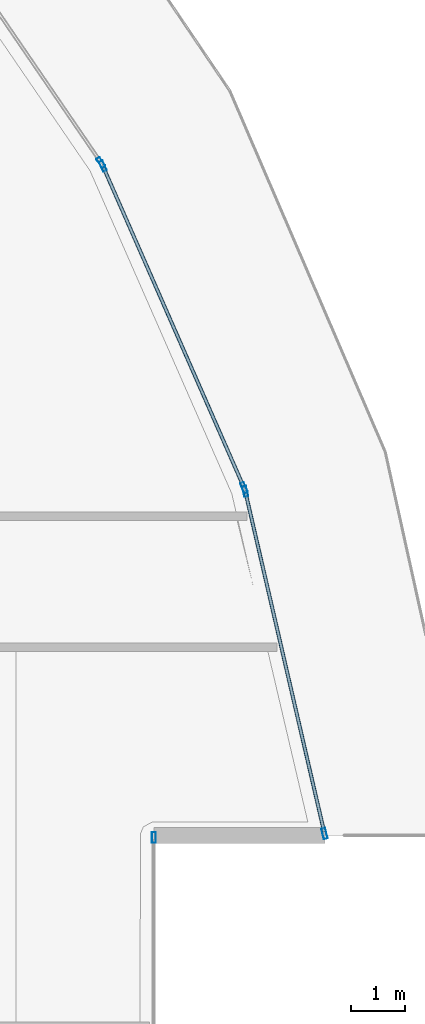
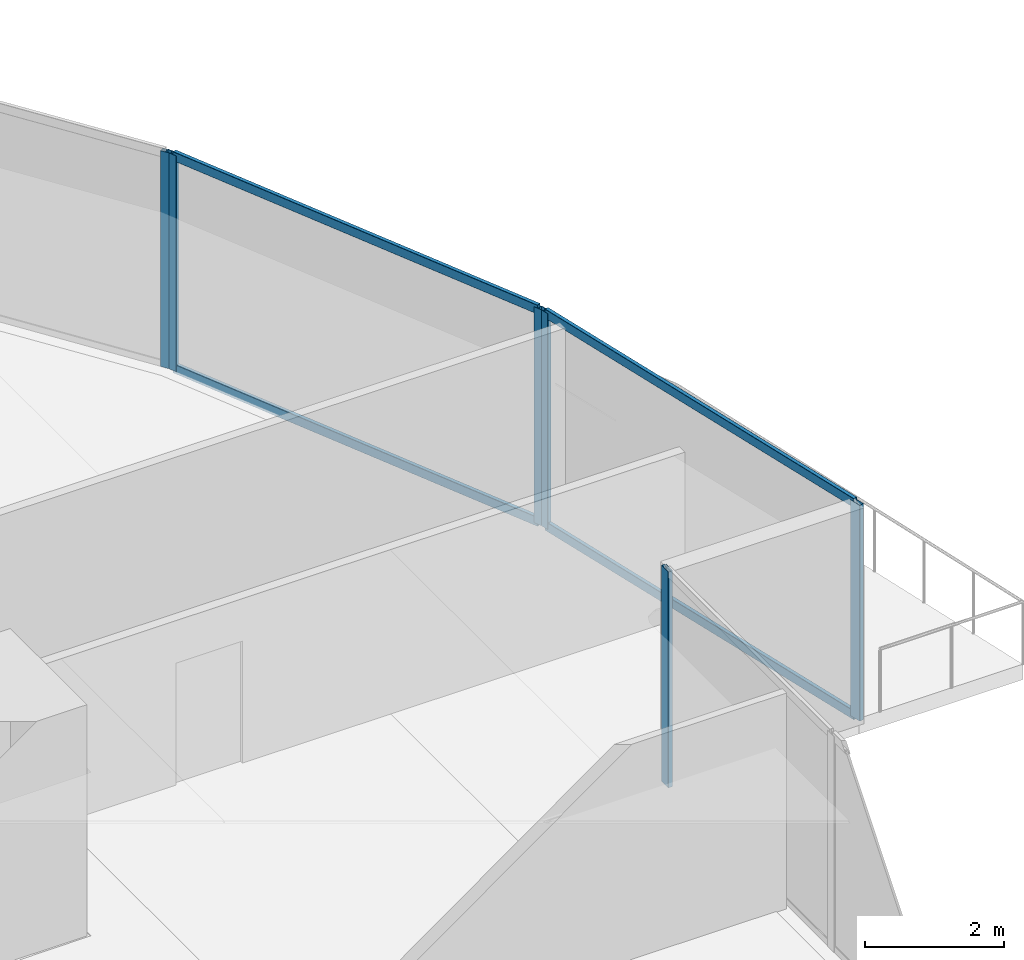
# One storey, part 24 of 43: 10 members, 4 elements without a shape of their own.
"""IFC4 building model written with IfcOpenShell, lengths in metres."""

from ifc_helpers import new_model, si_unit, direction, frame, origin, origin_2d, place, context, subcontext, project, spatial, hollow_rectangle, extrude, material, layer, layer_set, material_profile, profile_set, type_object, element, aggregate, save


model = new_model("IFC4")

# Units and contexts
model_context = context("Model", 3, precision=1e-05, world=origin(), true_north=direction((0.0, 1.0)))
body_context = subcontext(model_context, "Body", "Model", "MODEL_VIEW")
ifc_project = project(units=[si_unit("LENGTHUNIT", "METRE"), si_unit("AREAUNIT", "SQUARE_METRE"), si_unit("VOLUMEUNIT", "CUBIC_METRE"), si_unit("PLANEANGLEUNIT", "RADIAN"), si_unit("MASSUNIT", "GRAM", prefix="KILO")], contexts=[model_context])

# Site, building, storey
site_placement = place(None, origin())
site = spatial("IfcSite", under=ifc_project, at=site_placement, CompositionType="ELEMENT")
building_placement = place(site_placement, origin())
building = spatial("IfcBuilding", under=site, at=building_placement, Name="Qorvath Tower", CompositionType="ELEMENT")
storey_placement = place(building_placement, frame((0.0, 0.0, 150.300048828125)))
storey = spatial("IfcBuildingStorey", under=building, at=storey_placement, Name="L34", CompositionType="ELEMENT", Elevation=150.300048828125)

# Curtain wall, member
ifc_material_1 = material(Name="Anodised aluminium and triple low-E glass", Category="aluminium")
ifc_layer = layer(ifc_material_1, 0.179931640625)
ifc_layer_set = layer_set([ifc_layer], Name="CW-SYS-5")
curtain_wall_type = type_object("IfcCurtainWallType", Name="CW-SYS-5", PredefinedType="NOTDEFINED", material=ifc_layer_set)
curtain_wall_1_placement = place(storey_placement, origin())
curtain_wall_1 = element("IfcCurtainWall", 1, at=curtain_wall_1_placement, inside=storey, type_object=curtain_wall_type, Name="Curtain Wall CW-5 CW-T-L34-9.1", PredefinedType="NOTDEFINED")
ifc_material_2 = material(Name="Anodised aluminium 6063-T6", Category="aluminium")
ifc_material_profile_1 = material_profile(ifc_material_2, hollow_rectangle(XDim=0.074951171875, YDim=0.199951171875, WallThickness=0.00390625, InnerFilletRadius=0.00390625, OuterFilletRadius=0.008056640625, at=origin_2d()), Name="CWM 200x75")
ifc_profile_set_1 = profile_set([ifc_material_profile_1], Name="Anodised aluminium 6063-T6")
member_type_1 = type_object("IfcMemberType", Name="CWM-200", PredefinedType="MULLION", material=ifc_profile_set_1)
member_1_placement = place(storey_placement, frame((0.33984375, 4.7578125, 0.0), z_axis=(0.0, 0.0, 1.0), x_axis=(-1.0, 0.0, 0.0)))
member_1 = element("IfcMember", 2, at=member_1_placement, type_object=member_type_1, Name="CW-5 mullion 3", PredefinedType="MULLION", context=body_context, shape_type="SweptSolid", body=[
    extrude(hollow_rectangle(XDim=0.074951171875, YDim=0.199951171875, WallThickness=0.00390625, InnerFilletRadius=0.00390625, OuterFilletRadius=0.008056640625, at=origin_2d()), origin(), (0.0, 0.0, 1.0), 3.780029296875),
])
aggregate(curtain_wall_1, [member_1])

# Curtain wall, members
curtain_wall_2_placement = place(storey_placement, origin())
curtain_wall_2 = element("IfcCurtainWall", 3, at=curtain_wall_2_placement, inside=storey, type_object=curtain_wall_type, Name="Curtain Wall CW-5 CW-T-L34-11.1", PredefinedType="NOTDEFINED")
member_2_placement = place(storey_placement, frame((3.528076171875, 4.831787109375, 0.0), z_axis=(0.0, 0.0, 1.0), x_axis=(-0.974212877703, -0.225630824395, 0.0)))
member_2 = element("IfcMember", 4, at=member_2_placement, type_object=member_type_1, Name="CW-5 mullion 1", PredefinedType="MULLION", context=body_context, shape_type="SweptSolid", body=[
    extrude(hollow_rectangle(XDim=0.074951171875, YDim=0.199951171875, WallThickness=0.00390625, InnerFilletRadius=0.00390625, OuterFilletRadius=0.008056640625, at=origin_2d()), origin(), (0.0, 0.0, 1.0), 3.780029296875),
])
member_3_placement = place(storey_placement, frame((2.047607421875, 11.224365234375, 0.0), z_axis=(0.0, 0.0, 1.0), x_axis=(-0.974212877703, -0.225630824395, 0.0)))
member_3 = element("IfcMember", 5, at=member_3_placement, type_object=member_type_1, Name="CW-5 mullion 2", PredefinedType="MULLION", context=body_context, shape_type="SweptSolid", body=[
    extrude(hollow_rectangle(XDim=0.074951171875, YDim=0.199951171875, WallThickness=0.00390625, InnerFilletRadius=0.00390625, OuterFilletRadius=0.008056640625, at=origin_2d()), origin(), (0.0, 0.0, 1.0), 3.780029296875),
])

curtain_wall_3_placement = place(storey_placement, origin())
curtain_wall_3 = element("IfcCurtainWall", 6, at=curtain_wall_3_placement, inside=storey, type_object=curtain_wall_type, Name="Curtain Wall CW-5 CW-T-L34-12.1", PredefinedType="NOTDEFINED")
member_4_placement = place(storey_placement, frame((2.02392578125, 11.29541015625, 0.0), z_axis=(0.0, 0.0, 1.0), x_axis=(-0.91568257839, -0.401902246365, 0.0)))
member_4 = element("IfcMember", 7, at=member_4_placement, type_object=member_type_1, Name="CW-5 mullion 1", PredefinedType="MULLION", context=body_context, shape_type="SweptSolid", body=[
    extrude(hollow_rectangle(XDim=0.074951171875, YDim=0.199951171875, WallThickness=0.00390625, InnerFilletRadius=0.00390625, OuterFilletRadius=0.008056640625, at=origin_2d()), origin(), (0.0, 0.0, 1.0), 3.780029296875),
])
member_5_placement = place(storey_placement, frame((-0.613037109375, 17.3037109375, 0.0), z_axis=(0.0, 0.0, 1.0), x_axis=(-0.91568257839, -0.401902246365, 0.0)))
member_5 = element("IfcMember", 8, at=member_5_placement, type_object=member_type_1, Name="CW-5 mullion 2", PredefinedType="MULLION", context=body_context, shape_type="SweptSolid", body=[
    extrude(hollow_rectangle(XDim=0.074951171875, YDim=0.199951171875, WallThickness=0.00390625, InnerFilletRadius=0.00390625, OuterFilletRadius=0.008056640625, at=origin_2d()), origin(), (0.0, 0.0, 1.0), 3.780029296875),
])

# Curtain wall, member
curtain_wall_4_placement = place(storey_placement, origin())
curtain_wall_4 = element("IfcCurtainWall", 9, at=curtain_wall_4_placement, inside=storey, type_object=curtain_wall_type, Name="Curtain Wall CW-5 CW-T-L34-13.1", PredefinedType="NOTDEFINED")
member_6_placement = place(storey_placement, frame((-0.6494140625, 17.369140625, 0.0), z_axis=(0.0, 0.0, 1.0), x_axis=(-0.825580649528, -0.564284140416, 0.0)))
member_6 = element("IfcMember", 10, at=member_6_placement, type_object=member_type_1, Name="CW-5 mullion 1", PredefinedType="MULLION", context=body_context, shape_type="SweptSolid", body=[
    extrude(hollow_rectangle(XDim=0.074951171875, YDim=0.199951171875, WallThickness=0.00390625, InnerFilletRadius=0.00390625, OuterFilletRadius=0.008056640625, at=origin_2d()), origin(), (0.0, 0.0, 1.0), 3.780029296875),
])
aggregate(curtain_wall_4, [member_6])

# Member
ifc_material_3 = material(Name="Anodised aluminium 6063-T6", Category="aluminium")
ifc_material_profile_2 = material_profile(ifc_material_3, hollow_rectangle(XDim=0.06494140625, YDim=0.159912109375, WallThickness=0.00341796875, InnerFilletRadius=0.00341796875, OuterFilletRadius=0.007080078125, at=origin_2d()), Name="CWT 160x65")
ifc_profile_set_2 = profile_set([ifc_material_profile_2], Name="Anodised aluminium 6063-T6")
member_type_2 = type_object("IfcMemberType", Name="CWT-160", PredefinedType="USERDEFINED", material=ifc_profile_set_2)
member_7_placement = place(storey_placement, frame((3.519775390625, 4.8681640625, 0.032470703125), z_axis=(-0.225656521927, 0.974206925715, 0.0), x_axis=(-0.974206925715, -0.225656521927, 0.0)))
member_7 = element("IfcMember", 11, at=member_7_placement, type_object=member_type_2, Name="CW-5 transom 1.1", ObjectType="TRANSOM", PredefinedType="USERDEFINED", context=body_context, shape_type="SweptSolid", body=[
    extrude(hollow_rectangle(XDim=0.06494140625, YDim=0.159912109375, WallThickness=0.00341796875, InnerFilletRadius=0.00341796875, OuterFilletRadius=0.007080078125, at=origin_2d()), origin(), (0.0, 0.0, 1.0), 6.487060546875),
])

member_8_placement = place(storey_placement, frame((3.519775390625, 4.8681640625, 3.74755859375), z_axis=(-0.225656521927, 0.974206925715, 0.0), x_axis=(-0.974206925715, -0.225656521927, 0.0)))
member_8 = element("IfcMember", 12, at=member_8_placement, type_object=member_type_2, Name="CW-5 transom 1.2", ObjectType="TRANSOM", PredefinedType="USERDEFINED", context=body_context, shape_type="SweptSolid", body=[
    extrude(hollow_rectangle(XDim=0.06494140625, YDim=0.159912109375, WallThickness=0.00341796875, InnerFilletRadius=0.00341796875, OuterFilletRadius=0.007080078125, at=origin_2d()), origin(), (0.0, 0.0, 1.0), 6.487060546875),
])

aggregate(curtain_wall_2, [member_2, member_3, member_7, member_8])

member_9_placement = place(storey_placement, frame((2.009033203125, 11.32958984375, 0.032470703125), z_axis=(-0.401912330062, 0.915678152488, 0.0), x_axis=(-0.915678152488, -0.401912330062, 0.0)))
member_9 = element("IfcMember", 13, at=member_9_placement, type_object=member_type_2, Name="CW-5 transom 1.1", ObjectType="TRANSOM", PredefinedType="USERDEFINED", context=body_context, shape_type="SweptSolid", body=[
    extrude(hollow_rectangle(XDim=0.06494140625, YDim=0.159912109375, WallThickness=0.00341796875, InnerFilletRadius=0.00341796875, OuterFilletRadius=0.007080078125, at=origin_2d()), origin(), (0.0, 0.0, 1.0), 6.48681640625),
])

member_10_placement = place(storey_placement, frame((2.009033203125, 11.32958984375, 3.74755859375), z_axis=(-0.401912330062, 0.915678152488, 0.0), x_axis=(-0.915678152488, -0.401912330062, 0.0)))
member_10 = element("IfcMember", 14, at=member_10_placement, type_object=member_type_2, Name="CW-5 transom 1.2", ObjectType="TRANSOM", PredefinedType="USERDEFINED", context=body_context, shape_type="SweptSolid", body=[
    extrude(hollow_rectangle(XDim=0.06494140625, YDim=0.159912109375, WallThickness=0.00341796875, InnerFilletRadius=0.00341796875, OuterFilletRadius=0.007080078125, at=origin_2d()), origin(), (0.0, 0.0, 1.0), 6.48681640625),
])

aggregate(curtain_wall_3, [member_4, member_5, member_9, member_10])

save(model, "model.ifc")
